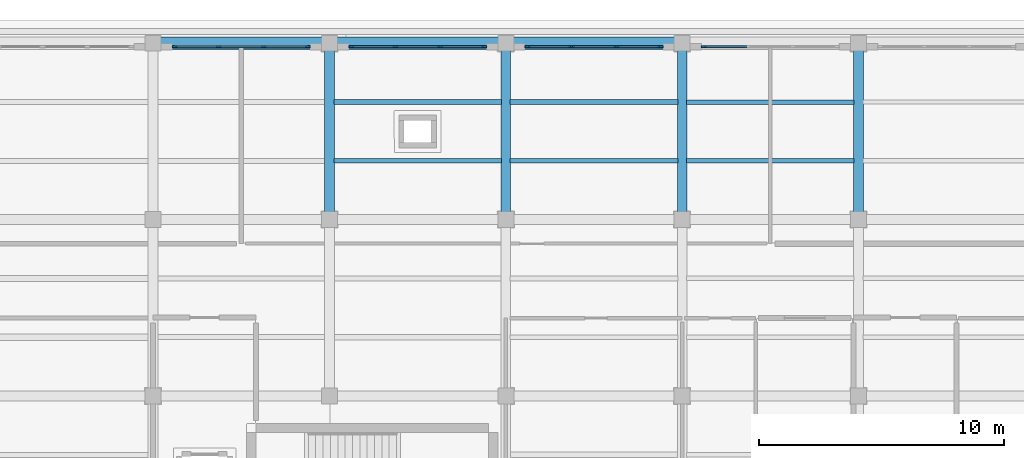
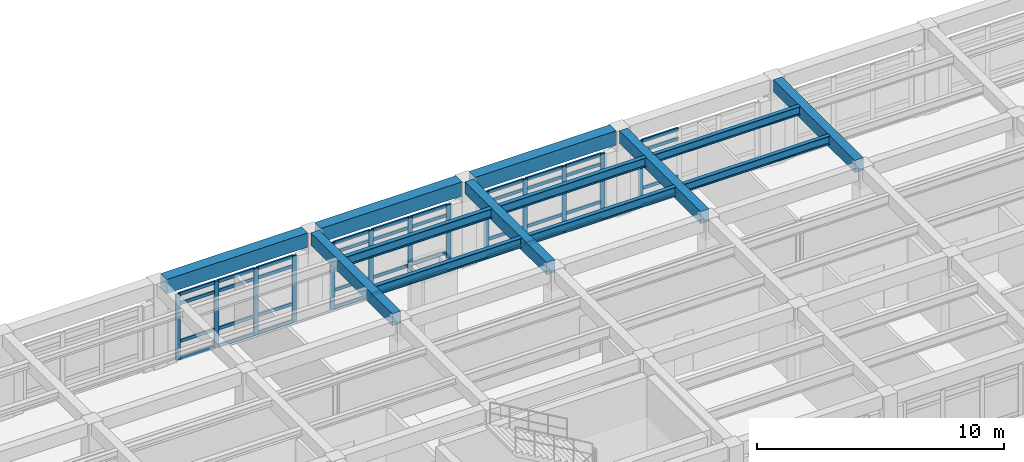
# One storey, part 30 of 55: 53 members, 13 beams, 4 elements without a shape of their own.
"""IFC4 building model written with IfcOpenShell, lengths in metres."""

from ifc_helpers import new_model, si_unit, direction, frame, origin, origin_2d, place, context, subcontext, project, spatial, rectangle, i_section, extrude, material, layer, layer_set, material_profile, profile_set, type_object, element, aggregate, save


model = new_model("IFC4")

# Units and contexts
model_context = context("Model", 3, precision=1e-05, world=origin(), true_north=direction((0.0, 1.0)))
body_context = subcontext(model_context, "Body", "Model", "MODEL_VIEW")
ifc_project = project(units=[si_unit("LENGTHUNIT", "METRE"), si_unit("AREAUNIT", "SQUARE_METRE"), si_unit("VOLUMEUNIT", "CUBIC_METRE"), si_unit("PLANEANGLEUNIT", "RADIAN"), si_unit("MASSUNIT", "GRAM", prefix="KILO")], contexts=[model_context])

# Site, building, storey
site_placement = place(None, origin())
site = spatial("IfcSite", under=ifc_project, at=site_placement, CompositionType="ELEMENT")
building_placement = place(site_placement, origin())
building = spatial("IfcBuilding", under=site, at=building_placement, Name="Solenvale Faculty of Natural Sciences", CompositionType="ELEMENT")
storey_placement = place(building_placement, frame((0.0, 0.0, 22.5)))
storey = spatial("IfcBuildingStorey", under=building, at=storey_placement, Name="L05", CompositionType="ELEMENT", Elevation=22.5)

# Beams
ifc_material_1 = material(Name="Concrete 40 MPa", Category="concrete")
ifc_material_profile_1 = material_profile(ifc_material_1, rectangle(XDim=0.39990234375, YDim=0.60009765625, at=origin_2d()), Name="RC-BM-400x600")
ifc_profile_set_1 = profile_set([ifc_material_profile_1], Name="Concrete 40 MPa")
beam_type_1 = type_object("IfcBeamType", Name="BM-RC-400x600", PredefinedType="BEAM", material=ifc_profile_set_1)
for number, where, z_axis, x_axis, name in (
    (1, (108.0, 108.304931640625, 3.919921875), (0.0, 1.0, 0.0), (-1.0, 0.0, 0.0), "L05 Y-Girder X108.0 (108.0..115.2)"),
    (2, (115.199951171875, 108.304931640625, 3.919921875), (0.0, 1.0, 0.0), (-1.0, 0.0, 0.0), "L05 Y-Girder X115.2 (108.0..115.2)"),
    (3, (122.39990234375, 108.304931640625, 3.919921875), (0.0, 1.0, 0.0), (-1.0, 0.0, 0.0), "L05 Y-Girder X122.4 (108.0..115.2)"),
    (4, (129.60009765625, 108.304931640625, 3.919921875), (0.0, 1.0, 0.0), (-1.0, 0.0, 0.0), "L05 Y-Girder X129.6 (108.0..115.2)"),
):
    element("IfcBeam", number, at=place(storey_placement, frame(where, z_axis=z_axis, x_axis=x_axis)), inside=storey, type_object=beam_type_1, Name=name, PredefinedType="BEAM", context=body_context, shape_type="SweptSolid", body=[
        extrude(rectangle(XDim=0.39990234375, YDim=0.60009765625, at=origin_2d()), origin(), (0.0, 0.0, 1.0), 6.590087890625),
    ])
ifc_material_2 = material(Name="Precast concrete 40 MPa", Category="concrete")
ifc_material_profile_2 = material_profile(ifc_material_2, rectangle(XDim=0.5, YDim=0.699951171875, at=origin_2d()), Name="RC-BM-500x700")
ifc_profile_set_2 = profile_set([ifc_material_profile_2], Name="Precast concrete 40 MPa")
beam_type_2 = type_object("IfcBeamType", Name="BM-SPN-PRC-700", PredefinedType="SPANDREL", material=ifc_profile_set_2)
for number, where, z_axis, x_axis, name in (
    (5, (101.10498046875, 115.199951171875, 3.8701171875), (1.0, 0.0, 0.0), (0.0, 1.0, 0.0), "L05 X-Girder Y115.2 (100.8..108.0)"),
    (6, (108.304931640625, 115.199951171875, 3.8701171875), (1.0, 0.0, 0.0), (0.0, 1.0, 0.0), "L05 X-Girder Y115.2 (108.0..115.2)"),
    (7, (115.5048828125, 115.199951171875, 3.8701171875), (1.0, 0.0, 0.0), (0.0, 1.0, 0.0), "L05 X-Girder Y115.2 (115.2..122.4)"),
):
    element("IfcBeam", number, at=place(storey_placement, frame(where, z_axis=z_axis, x_axis=x_axis)), inside=storey, type_object=beam_type_2, Name=name, PredefinedType="SPANDREL", context=body_context, shape_type="SweptSolid", body=[
        extrude(rectangle(XDim=0.5, YDim=0.699951171875, at=origin_2d()), origin(), (0.0, 0.0, 1.0), 6.590087890625),
    ])
ifc_material_3 = material(Name="Steel S355", Category="steel")
ifc_material_profile_3 = material_profile(ifc_material_3, i_section(OverallWidth=0.180908203125, OverallDepth=0.4169921875, WebThickness=0.010986328125, FlangeThickness=0.018310546875, FilletRadius=0.01611328125, at=origin_2d()), Name="W410x85")
ifc_profile_set_3 = profile_set([ifc_material_profile_3], Name="Steel S355")
beam_type_3 = type_object("IfcBeamType", Name="BM-STL-W410x85", PredefinedType="JOIST", material=ifc_profile_set_3)
for number, where, z_axis, x_axis, name in (
    (8, (122.580078125, 110.39990234375, 4.011474609375), (1.0, 0.0, 0.0), (0.0, 1.0, 0.0), "L05 Composite Floor Joist (18,16).1"),
    (9, (122.580078125, 112.800048828125, 4.011474609375), (1.0, 0.0, 0.0), (0.0, 1.0, 0.0), "L05 Composite Floor Joist (18,16).2"),
):
    element("IfcBeam", number, at=place(storey_placement, frame(where, z_axis=z_axis, x_axis=x_axis)), inside=storey, type_object=beam_type_3, Name=name, PredefinedType="JOIST", context=body_context, shape_type="SweptSolid", body=[
        extrude(i_section(OverallWidth=0.180908203125, OverallDepth=0.4169921875, WebThickness=0.010986328125, FlangeThickness=0.018310546875, FilletRadius=0.01611328125, at=origin_2d()), origin(), (0.0, 0.0, 1.0), 6.83984375),
    ])
ifc_material_profile_4 = material_profile(ifc_material_3, i_section(OverallWidth=0.194091796875, OverallDepth=0.468994140625, WebThickness=0.0126953125, FlangeThickness=0.0205078125, FilletRadius=0.01806640625, at=origin_2d()), Name="W460x106")
ifc_profile_set_4 = profile_set([ifc_material_profile_4], Name="Steel S355")
beam_type_4 = type_object("IfcBeamType", Name="BM-STL-W460x106", PredefinedType="JOIST", material=ifc_profile_set_4)
for number, where, z_axis, x_axis, name in (
    (10, (108.179931640625, 110.39990234375, 3.985595703125), (1.0, 0.0, 0.0), (0.0, 1.0, 0.0), "L05 Composite Floor Joist (16,16).1"),
    (11, (108.179931640625, 112.800048828125, 3.985595703125), (1.0, 0.0, 0.0), (0.0, 1.0, 0.0), "L05 Composite Floor Joist (16,16).2"),
):
    element("IfcBeam", number, at=place(storey_placement, frame(where, z_axis=z_axis, x_axis=x_axis)), inside=storey, type_object=beam_type_4, Name=name, PredefinedType="JOIST", context=body_context, shape_type="SweptSolid", body=[
        extrude(i_section(OverallWidth=0.194091796875, OverallDepth=0.468994140625, WebThickness=0.0126953125, FlangeThickness=0.0205078125, FilletRadius=0.01806640625, at=origin_2d()), origin(), (0.0, 0.0, 1.0), 6.840087890625),
    ])
ifc_material_profile_5 = material_profile(ifc_material_3, i_section(OverallWidth=0.19091796875, OverallDepth=0.4599609375, WebThickness=0.010009765625, FlangeThickness=0.01611328125, FilletRadius=0.01806640625, at=origin_2d()), Name="W460x82")
ifc_profile_set_5 = profile_set([ifc_material_profile_5], Name="Steel S355")
beam_type_5 = type_object("IfcBeamType", Name="BM-STL-W460x82", PredefinedType="JOIST", material=ifc_profile_set_5)
for number, where, z_axis, x_axis, name in (
    (12, (115.3798828125, 110.39990234375, 3.989990234375), (1.0, 0.0, 0.0), (0.0, 1.0, 0.0), "L05 Composite Floor Joist (17,16).1"),
    (13, (115.3798828125, 112.800048828125, 3.989990234375), (1.0, 0.0, 0.0), (0.0, 1.0, 0.0), "L05 Composite Floor Joist (17,16).2"),
):
    element("IfcBeam", number, at=place(storey_placement, frame(where, z_axis=z_axis, x_axis=x_axis)), inside=storey, type_object=beam_type_5, Name=name, PredefinedType="JOIST", context=body_context, shape_type="SweptSolid", body=[
        extrude(i_section(OverallWidth=0.19091796875, OverallDepth=0.4599609375, WebThickness=0.010009765625, FlangeThickness=0.01611328125, FilletRadius=0.01806640625, at=origin_2d()), origin(), (0.0, 0.0, 1.0), 6.840087890625),
    ])

# Curtain wall, member
ifc_material_4 = material(Name="Anodised bronze aluminium", Category="aluminium")
ifc_layer = layer(ifc_material_4, 0.179931640625)
ifc_layer_set = layer_set([ifc_layer], Name="Anodised bronze aluminium")
curtain_wall_type = type_object("IfcCurtainWallType", Name="CW-TWR-MOD", PredefinedType="USERDEFINED", material=ifc_layer_set)
curtain_wall_1_placement = place(storey_placement, origin())
curtain_wall_1 = element("IfcCurtainWall", 14, at=curtain_wall_1_placement, inside=storey, type_object=curtain_wall_type, Name="L05 Curtain Wall CW-L05-P2-E3-B4", ObjectType="UNITISED CURTAIN WALL", PredefinedType="USERDEFINED")
ifc_material_profile_6 = material_profile(ifc_material_4, rectangle(XDim=0.074951171875, YDim=0.2099609375, at=origin_2d()), Name="ALU-MUL-75x210")
ifc_profile_set_6 = profile_set([ifc_material_profile_6], Name="Anodised bronze aluminium")
member_type_1 = type_object("IfcMemberType", Name="CWM-ALU-75x210", PredefinedType="MULLION", material=ifc_profile_set_6)
member_1_placement = place(storey_placement, frame((123.28759765625, 115.0576171875, 0.0), z_axis=(0.0, 0.0, 1.0), x_axis=(0.0, -1.0, 0.0)))
member_1 = element("IfcMember", 15, at=member_1_placement, type_object=member_type_1, Name="CW-04 mullion 4", PredefinedType="MULLION", context=body_context, shape_type="SweptSolid", body=[
    extrude(rectangle(XDim=0.074951171875, YDim=0.2099609375, at=origin_2d()), origin(), (0.0, 0.0, 1.0), 3.260009765625),
])

# Curtain wall, members
curtain_wall_2_placement = place(storey_placement, origin())
curtain_wall_2 = element("IfcCurtainWall", 16, at=curtain_wall_2_placement, inside=storey, type_object=curtain_wall_type, Name="L05 Curtain Wall CW-L05-P2-E3-B5", ObjectType="UNITISED CURTAIN WALL", PredefinedType="USERDEFINED")
member_2_placement = place(storey_placement, frame((121.512451171875, 115.0576171875, 0.0), z_axis=(0.0, 0.0, 1.0), x_axis=(0.0, -1.0, 0.0)))
member_2 = element("IfcMember", 17, at=member_2_placement, type_object=member_type_1, Name="CW-04 mullion 1", PredefinedType="MULLION", context=body_context, shape_type="SweptSolid", body=[
    extrude(rectangle(XDim=0.074951171875, YDim=0.2099609375, at=origin_2d()), origin(), (0.0, 0.0, 1.0), 3.260009765625),
])
member_3_placement = place(storey_placement, frame((119.716552734375, 115.0576171875, 0.0), z_axis=(0.0, 0.0, 1.0), x_axis=(0.0, -1.0, 0.0)))
member_3 = element("IfcMember", 18, at=member_3_placement, type_object=member_type_1, Name="CW-04 mullion 2", PredefinedType="MULLION", context=body_context, shape_type="SweptSolid", body=[
    extrude(rectangle(XDim=0.074951171875, YDim=0.2099609375, at=origin_2d()), origin(), (0.0, 0.0, 1.0), 3.260009765625),
])
member_4_placement = place(storey_placement, frame((117.88330078125, 115.0576171875, 0.0), z_axis=(0.0, 0.0, 1.0), x_axis=(0.0, -1.0, 0.0)))
member_4 = element("IfcMember", 19, at=member_4_placement, type_object=member_type_1, Name="CW-04 mullion 3", PredefinedType="MULLION", context=body_context, shape_type="SweptSolid", body=[
    extrude(rectangle(XDim=0.074951171875, YDim=0.2099609375, at=origin_2d()), origin(), (0.0, 0.0, 1.0), 3.260009765625),
])
member_5_placement = place(storey_placement, frame((116.08740234375, 115.0576171875, 0.0), z_axis=(0.0, 0.0, 1.0), x_axis=(0.0, -1.0, 0.0)))
member_5 = element("IfcMember", 20, at=member_5_placement, type_object=member_type_1, Name="CW-04 mullion 4", PredefinedType="MULLION", context=body_context, shape_type="SweptSolid", body=[
    extrude(rectangle(XDim=0.074951171875, YDim=0.2099609375, at=origin_2d()), origin(), (0.0, 0.0, 1.0), 3.260009765625),
])

curtain_wall_3_placement = place(storey_placement, origin())
curtain_wall_3 = element("IfcCurtainWall", 21, at=curtain_wall_3_placement, inside=storey, type_object=curtain_wall_type, Name="L05 Curtain Wall CW-L05-P2-E3-B6", ObjectType="UNITISED CURTAIN WALL", PredefinedType="USERDEFINED")
member_6_placement = place(storey_placement, frame((114.3125, 115.0576171875, 0.0), z_axis=(0.0, 0.0, 1.0), x_axis=(0.0, -1.0, 0.0)))
member_6 = element("IfcMember", 22, at=member_6_placement, type_object=member_type_1, Name="CW-04 mullion 1", PredefinedType="MULLION", context=body_context, shape_type="SweptSolid", body=[
    extrude(rectangle(XDim=0.074951171875, YDim=0.2099609375, at=origin_2d()), origin(), (0.0, 0.0, 1.0), 3.260009765625),
])
member_7_placement = place(storey_placement, frame((112.5166015625, 115.0576171875, 0.0), z_axis=(0.0, 0.0, 1.0), x_axis=(0.0, -1.0, 0.0)))
member_7 = element("IfcMember", 23, at=member_7_placement, type_object=member_type_1, Name="CW-04 mullion 2", PredefinedType="MULLION", context=body_context, shape_type="SweptSolid", body=[
    extrude(rectangle(XDim=0.074951171875, YDim=0.2099609375, at=origin_2d()), origin(), (0.0, 0.0, 1.0), 3.260009765625),
])
member_8_placement = place(storey_placement, frame((110.683349609375, 115.0576171875, 0.0), z_axis=(0.0, 0.0, 1.0), x_axis=(0.0, -1.0, 0.0)))
member_8 = element("IfcMember", 24, at=member_8_placement, type_object=member_type_1, Name="CW-04 mullion 3", PredefinedType="MULLION", context=body_context, shape_type="SweptSolid", body=[
    extrude(rectangle(XDim=0.074951171875, YDim=0.2099609375, at=origin_2d()), origin(), (0.0, 0.0, 1.0), 3.260009765625),
])
member_9_placement = place(storey_placement, frame((108.887451171875, 115.0576171875, 0.0), z_axis=(0.0, 0.0, 1.0), x_axis=(0.0, -1.0, 0.0)))
member_9 = element("IfcMember", 25, at=member_9_placement, type_object=member_type_1, Name="CW-04 mullion 4", PredefinedType="MULLION", context=body_context, shape_type="SweptSolid", body=[
    extrude(rectangle(XDim=0.074951171875, YDim=0.2099609375, at=origin_2d()), origin(), (0.0, 0.0, 1.0), 3.260009765625),
])

curtain_wall_4_placement = place(storey_placement, origin())
curtain_wall_4 = element("IfcCurtainWall", 26, at=curtain_wall_4_placement, inside=storey, type_object=curtain_wall_type, Name="L05 Curtain Wall CW-L05-P2-E3-B7", ObjectType="UNITISED CURTAIN WALL", PredefinedType="USERDEFINED")
member_10_placement = place(storey_placement, frame((107.112548828125, 115.0576171875, 0.0), z_axis=(0.0, 0.0, 1.0), x_axis=(0.0, -1.0, 0.0)))
member_10 = element("IfcMember", 27, at=member_10_placement, type_object=member_type_1, Name="CW-04 mullion 1", PredefinedType="MULLION", context=body_context, shape_type="SweptSolid", body=[
    extrude(rectangle(XDim=0.074951171875, YDim=0.2099609375, at=origin_2d()), origin(), (0.0, 0.0, 1.0), 3.260009765625),
])
member_11_placement = place(storey_placement, frame((105.316650390625, 115.0576171875, 0.0), z_axis=(0.0, 0.0, 1.0), x_axis=(0.0, -1.0, 0.0)))
member_11 = element("IfcMember", 28, at=member_11_placement, type_object=member_type_1, Name="CW-04 mullion 2", PredefinedType="MULLION", context=body_context, shape_type="SweptSolid", body=[
    extrude(rectangle(XDim=0.074951171875, YDim=0.2099609375, at=origin_2d()), origin(), (0.0, 0.0, 1.0), 3.260009765625),
])
member_12_placement = place(storey_placement, frame((103.4833984375, 115.0576171875, 0.0), z_axis=(0.0, 0.0, 1.0), x_axis=(0.0, -1.0, 0.0)))
member_12 = element("IfcMember", 29, at=member_12_placement, type_object=member_type_1, Name="CW-04 mullion 3", PredefinedType="MULLION", context=body_context, shape_type="SweptSolid", body=[
    extrude(rectangle(XDim=0.074951171875, YDim=0.2099609375, at=origin_2d()), origin(), (0.0, 0.0, 1.0), 3.260009765625),
])
member_13_placement = place(storey_placement, frame((101.6875, 115.0576171875, 0.0), z_axis=(0.0, 0.0, 1.0), x_axis=(0.0, -1.0, 0.0)))
member_13 = element("IfcMember", 30, at=member_13_placement, type_object=member_type_1, Name="CW-04 mullion 4", PredefinedType="MULLION", context=body_context, shape_type="SweptSolid", body=[
    extrude(rectangle(XDim=0.074951171875, YDim=0.2099609375, at=origin_2d()), origin(), (0.0, 0.0, 1.0), 3.260009765625),
])

# Member
ifc_material_profile_7 = material_profile(ifc_material_4, rectangle(XDim=0.074951171875, YDim=0.155029296875, at=origin_2d()), Name="ALU-TRN-75x155")
ifc_profile_set_7 = profile_set([ifc_material_profile_7], Name="Anodised bronze aluminium")
member_type_2 = type_object("IfcMemberType", Name="CWT-ALU-75x155", PredefinedType="USERDEFINED", material=ifc_profile_set_7)
member_14_placement = place(storey_placement, frame((125.0458984375, 115.0576171875, 0.03759765625), z_axis=(-1.0, 0.0, 0.0), x_axis=(0.0, -1.0, 0.0)))
member_14 = element("IfcMember", 31, at=member_14_placement, type_object=member_type_2, Name="CW-04 transom 3.1", ObjectType="TRANSOM", PredefinedType="USERDEFINED", context=body_context, shape_type="SweptSolid", body=[
    extrude(rectangle(XDim=0.074951171875, YDim=0.155029296875, at=origin_2d()), origin(), (0.0, 0.0, 1.0), 1.720947265625),
])

member_15_placement = place(storey_placement, frame((125.0458984375, 115.0576171875, 0.89990234375), z_axis=(-1.0, 0.0, 0.0), x_axis=(0.0, -1.0, 0.0)))
member_15 = element("IfcMember", 32, at=member_15_placement, type_object=member_type_2, Name="CW-04 transom 3.2", ObjectType="TRANSOM", PredefinedType="USERDEFINED", context=body_context, shape_type="SweptSolid", body=[
    extrude(rectangle(XDim=0.074951171875, YDim=0.155029296875, at=origin_2d()), origin(), (0.0, 0.0, 1.0), 1.720947265625),
])

member_16_placement = place(storey_placement, frame((125.0458984375, 115.0576171875, 2.760009765625), z_axis=(-1.0, 0.0, 0.0), x_axis=(0.0, -1.0, 0.0)))
member_16 = element("IfcMember", 33, at=member_16_placement, type_object=member_type_2, Name="CW-04 transom 3.3", ObjectType="TRANSOM", PredefinedType="USERDEFINED", context=body_context, shape_type="SweptSolid", body=[
    extrude(rectangle(XDim=0.074951171875, YDim=0.155029296875, at=origin_2d()), origin(), (0.0, 0.0, 1.0), 1.720947265625),
])

member_17_placement = place(storey_placement, frame((125.0458984375, 115.0576171875, 3.222412109375), z_axis=(-1.0, 0.0, 0.0), x_axis=(0.0, -1.0, 0.0)))
member_17 = element("IfcMember", 34, at=member_17_placement, type_object=member_type_2, Name="CW-04 transom 3.4", ObjectType="TRANSOM", PredefinedType="USERDEFINED", context=body_context, shape_type="SweptSolid", body=[
    extrude(rectangle(XDim=0.074951171875, YDim=0.155029296875, at=origin_2d()), origin(), (0.0, 0.0, 1.0), 1.720947265625),
])

aggregate(curtain_wall_1, [member_1, member_14, member_15, member_16, member_17])

member_18_placement = place(storey_placement, frame((121.47509765625, 115.0576171875, 0.03759765625), z_axis=(-1.0, 0.0, 0.0), x_axis=(0.0, -1.0, 0.0)))
member_18 = element("IfcMember", 35, at=member_18_placement, type_object=member_type_2, Name="CW-04 transom 1.1", ObjectType="TRANSOM", PredefinedType="USERDEFINED", context=body_context, shape_type="SweptSolid", body=[
    extrude(rectangle(XDim=0.074951171875, YDim=0.155029296875, at=origin_2d()), origin(), (0.0, 0.0, 1.0), 1.720947265625),
])

member_19_placement = place(storey_placement, frame((121.47509765625, 115.0576171875, 0.89990234375), z_axis=(-1.0, 0.0, 0.0), x_axis=(0.0, -1.0, 0.0)))
member_19 = element("IfcMember", 36, at=member_19_placement, type_object=member_type_2, Name="CW-04 transom 1.2", ObjectType="TRANSOM", PredefinedType="USERDEFINED", context=body_context, shape_type="SweptSolid", body=[
    extrude(rectangle(XDim=0.074951171875, YDim=0.155029296875, at=origin_2d()), origin(), (0.0, 0.0, 1.0), 1.720947265625),
])

member_20_placement = place(storey_placement, frame((121.47509765625, 115.0576171875, 2.760009765625), z_axis=(-1.0, 0.0, 0.0), x_axis=(0.0, -1.0, 0.0)))
member_20 = element("IfcMember", 37, at=member_20_placement, type_object=member_type_2, Name="CW-04 transom 1.3", ObjectType="TRANSOM", PredefinedType="USERDEFINED", context=body_context, shape_type="SweptSolid", body=[
    extrude(rectangle(XDim=0.074951171875, YDim=0.155029296875, at=origin_2d()), origin(), (0.0, 0.0, 1.0), 1.720947265625),
])

member_21_placement = place(storey_placement, frame((121.47509765625, 115.0576171875, 3.222412109375), z_axis=(-1.0, 0.0, 0.0), x_axis=(0.0, -1.0, 0.0)))
member_21 = element("IfcMember", 38, at=member_21_placement, type_object=member_type_2, Name="CW-04 transom 1.4", ObjectType="TRANSOM", PredefinedType="USERDEFINED", context=body_context, shape_type="SweptSolid", body=[
    extrude(rectangle(XDim=0.074951171875, YDim=0.155029296875, at=origin_2d()), origin(), (0.0, 0.0, 1.0), 1.720947265625),
])

member_22_placement = place(storey_placement, frame((119.67919921875, 115.0576171875, 0.03759765625), z_axis=(-1.0, 0.0, 0.0), x_axis=(0.0, -1.0, 0.0)))
member_22 = element("IfcMember", 39, at=member_22_placement, type_object=member_type_2, Name="CW-04 transom 2.1", ObjectType="TRANSOM", PredefinedType="USERDEFINED", context=body_context, shape_type="SweptSolid", body=[
    extrude(rectangle(XDim=0.074951171875, YDim=0.155029296875, at=origin_2d()), origin(), (0.0, 0.0, 1.0), 1.75830078125),
])

member_23_placement = place(storey_placement, frame((119.67919921875, 115.0576171875, 0.89990234375), z_axis=(-1.0, 0.0, 0.0), x_axis=(0.0, -1.0, 0.0)))
member_23 = element("IfcMember", 40, at=member_23_placement, type_object=member_type_2, Name="CW-04 transom 2.2", ObjectType="TRANSOM", PredefinedType="USERDEFINED", context=body_context, shape_type="SweptSolid", body=[
    extrude(rectangle(XDim=0.074951171875, YDim=0.155029296875, at=origin_2d()), origin(), (0.0, 0.0, 1.0), 1.75830078125),
])

member_24_placement = place(storey_placement, frame((119.67919921875, 115.0576171875, 2.760009765625), z_axis=(-1.0, 0.0, 0.0), x_axis=(0.0, -1.0, 0.0)))
member_24 = element("IfcMember", 41, at=member_24_placement, type_object=member_type_2, Name="CW-04 transom 2.3", ObjectType="TRANSOM", PredefinedType="USERDEFINED", context=body_context, shape_type="SweptSolid", body=[
    extrude(rectangle(XDim=0.074951171875, YDim=0.155029296875, at=origin_2d()), origin(), (0.0, 0.0, 1.0), 1.75830078125),
])

member_25_placement = place(storey_placement, frame((119.67919921875, 115.0576171875, 3.222412109375), z_axis=(-1.0, 0.0, 0.0), x_axis=(0.0, -1.0, 0.0)))
member_25 = element("IfcMember", 42, at=member_25_placement, type_object=member_type_2, Name="CW-04 transom 2.4", ObjectType="TRANSOM", PredefinedType="USERDEFINED", context=body_context, shape_type="SweptSolid", body=[
    extrude(rectangle(XDim=0.074951171875, YDim=0.155029296875, at=origin_2d()), origin(), (0.0, 0.0, 1.0), 1.75830078125),
])

member_26_placement = place(storey_placement, frame((117.845947265625, 115.0576171875, 0.03759765625), z_axis=(-1.0, 0.0, 0.0), x_axis=(0.0, -1.0, 0.0)))
member_26 = element("IfcMember", 43, at=member_26_placement, type_object=member_type_2, Name="CW-04 transom 3.1", ObjectType="TRANSOM", PredefinedType="USERDEFINED", context=body_context, shape_type="SweptSolid", body=[
    extrude(rectangle(XDim=0.074951171875, YDim=0.155029296875, at=origin_2d()), origin(), (0.0, 0.0, 1.0), 1.720947265625),
])

member_27_placement = place(storey_placement, frame((117.845947265625, 115.0576171875, 0.89990234375), z_axis=(-1.0, 0.0, 0.0), x_axis=(0.0, -1.0, 0.0)))
member_27 = element("IfcMember", 44, at=member_27_placement, type_object=member_type_2, Name="CW-04 transom 3.2", ObjectType="TRANSOM", PredefinedType="USERDEFINED", context=body_context, shape_type="SweptSolid", body=[
    extrude(rectangle(XDim=0.074951171875, YDim=0.155029296875, at=origin_2d()), origin(), (0.0, 0.0, 1.0), 1.720947265625),
])

member_28_placement = place(storey_placement, frame((117.845947265625, 115.0576171875, 2.760009765625), z_axis=(-1.0, 0.0, 0.0), x_axis=(0.0, -1.0, 0.0)))
member_28 = element("IfcMember", 45, at=member_28_placement, type_object=member_type_2, Name="CW-04 transom 3.3", ObjectType="TRANSOM", PredefinedType="USERDEFINED", context=body_context, shape_type="SweptSolid", body=[
    extrude(rectangle(XDim=0.074951171875, YDim=0.155029296875, at=origin_2d()), origin(), (0.0, 0.0, 1.0), 1.720947265625),
])

member_29_placement = place(storey_placement, frame((117.845947265625, 115.0576171875, 3.222412109375), z_axis=(-1.0, 0.0, 0.0), x_axis=(0.0, -1.0, 0.0)))
member_29 = element("IfcMember", 46, at=member_29_placement, type_object=member_type_2, Name="CW-04 transom 3.4", ObjectType="TRANSOM", PredefinedType="USERDEFINED", context=body_context, shape_type="SweptSolid", body=[
    extrude(rectangle(XDim=0.074951171875, YDim=0.155029296875, at=origin_2d()), origin(), (0.0, 0.0, 1.0), 1.720947265625),
])

aggregate(curtain_wall_2, [member_2, member_3, member_4, member_5, member_18, member_19, member_20, member_21, member_22, member_23, member_24, member_25, member_26, member_27, member_28, member_29])

member_30_placement = place(storey_placement, frame((114.27490234375, 115.0576171875, 0.03759765625), z_axis=(-1.0, 0.0, 0.0), x_axis=(0.0, -1.0, 0.0)))
member_30 = element("IfcMember", 47, at=member_30_placement, type_object=member_type_2, Name="CW-04 transom 1.1", ObjectType="TRANSOM", PredefinedType="USERDEFINED", context=body_context, shape_type="SweptSolid", body=[
    extrude(rectangle(XDim=0.074951171875, YDim=0.155029296875, at=origin_2d()), origin(), (0.0, 0.0, 1.0), 1.720703125),
])

member_31_placement = place(storey_placement, frame((114.27490234375, 115.0576171875, 0.89990234375), z_axis=(-1.0, 0.0, 0.0), x_axis=(0.0, -1.0, 0.0)))
member_31 = element("IfcMember", 48, at=member_31_placement, type_object=member_type_2, Name="CW-04 transom 1.2", ObjectType="TRANSOM", PredefinedType="USERDEFINED", context=body_context, shape_type="SweptSolid", body=[
    extrude(rectangle(XDim=0.074951171875, YDim=0.155029296875, at=origin_2d()), origin(), (0.0, 0.0, 1.0), 1.720703125),
])

member_32_placement = place(storey_placement, frame((114.27490234375, 115.0576171875, 2.760009765625), z_axis=(-1.0, 0.0, 0.0), x_axis=(0.0, -1.0, 0.0)))
member_32 = element("IfcMember", 49, at=member_32_placement, type_object=member_type_2, Name="CW-04 transom 1.3", ObjectType="TRANSOM", PredefinedType="USERDEFINED", context=body_context, shape_type="SweptSolid", body=[
    extrude(rectangle(XDim=0.074951171875, YDim=0.155029296875, at=origin_2d()), origin(), (0.0, 0.0, 1.0), 1.720703125),
])

member_33_placement = place(storey_placement, frame((114.27490234375, 115.0576171875, 3.222412109375), z_axis=(-1.0, 0.0, 0.0), x_axis=(0.0, -1.0, 0.0)))
member_33 = element("IfcMember", 50, at=member_33_placement, type_object=member_type_2, Name="CW-04 transom 1.4", ObjectType="TRANSOM", PredefinedType="USERDEFINED", context=body_context, shape_type="SweptSolid", body=[
    extrude(rectangle(XDim=0.074951171875, YDim=0.155029296875, at=origin_2d()), origin(), (0.0, 0.0, 1.0), 1.720703125),
])

member_34_placement = place(storey_placement, frame((112.479248046875, 115.0576171875, 0.03759765625), z_axis=(-1.0, 0.0, 0.0), x_axis=(0.0, -1.0, 0.0)))
member_34 = element("IfcMember", 51, at=member_34_placement, type_object=member_type_2, Name="CW-04 transom 2.1", ObjectType="TRANSOM", PredefinedType="USERDEFINED", context=body_context, shape_type="SweptSolid", body=[
    extrude(rectangle(XDim=0.074951171875, YDim=0.155029296875, at=origin_2d()), origin(), (0.0, 0.0, 1.0), 1.75830078125),
])

member_35_placement = place(storey_placement, frame((112.479248046875, 115.0576171875, 0.89990234375), z_axis=(-1.0, 0.0, 0.0), x_axis=(0.0, -1.0, 0.0)))
member_35 = element("IfcMember", 52, at=member_35_placement, type_object=member_type_2, Name="CW-04 transom 2.2", ObjectType="TRANSOM", PredefinedType="USERDEFINED", context=body_context, shape_type="SweptSolid", body=[
    extrude(rectangle(XDim=0.074951171875, YDim=0.155029296875, at=origin_2d()), origin(), (0.0, 0.0, 1.0), 1.75830078125),
])

member_36_placement = place(storey_placement, frame((112.479248046875, 115.0576171875, 2.760009765625), z_axis=(-1.0, 0.0, 0.0), x_axis=(0.0, -1.0, 0.0)))
member_36 = element("IfcMember", 53, at=member_36_placement, type_object=member_type_2, Name="CW-04 transom 2.3", ObjectType="TRANSOM", PredefinedType="USERDEFINED", context=body_context, shape_type="SweptSolid", body=[
    extrude(rectangle(XDim=0.074951171875, YDim=0.155029296875, at=origin_2d()), origin(), (0.0, 0.0, 1.0), 1.75830078125),
])

member_37_placement = place(storey_placement, frame((112.479248046875, 115.0576171875, 3.222412109375), z_axis=(-1.0, 0.0, 0.0), x_axis=(0.0, -1.0, 0.0)))
member_37 = element("IfcMember", 54, at=member_37_placement, type_object=member_type_2, Name="CW-04 transom 2.4", ObjectType="TRANSOM", PredefinedType="USERDEFINED", context=body_context, shape_type="SweptSolid", body=[
    extrude(rectangle(XDim=0.074951171875, YDim=0.155029296875, at=origin_2d()), origin(), (0.0, 0.0, 1.0), 1.75830078125),
])

member_38_placement = place(storey_placement, frame((110.645751953125, 115.0576171875, 0.03759765625), z_axis=(-1.0, 0.0, 0.0), x_axis=(0.0, -1.0, 0.0)))
member_38 = element("IfcMember", 55, at=member_38_placement, type_object=member_type_2, Name="CW-04 transom 3.1", ObjectType="TRANSOM", PredefinedType="USERDEFINED", context=body_context, shape_type="SweptSolid", body=[
    extrude(rectangle(XDim=0.074951171875, YDim=0.155029296875, at=origin_2d()), origin(), (0.0, 0.0, 1.0), 1.720703125),
])

member_39_placement = place(storey_placement, frame((110.645751953125, 115.0576171875, 0.89990234375), z_axis=(-1.0, 0.0, 0.0), x_axis=(0.0, -1.0, 0.0)))
member_39 = element("IfcMember", 56, at=member_39_placement, type_object=member_type_2, Name="CW-04 transom 3.2", ObjectType="TRANSOM", PredefinedType="USERDEFINED", context=body_context, shape_type="SweptSolid", body=[
    extrude(rectangle(XDim=0.074951171875, YDim=0.155029296875, at=origin_2d()), origin(), (0.0, 0.0, 1.0), 1.720703125),
])

member_40_placement = place(storey_placement, frame((110.645751953125, 115.0576171875, 2.760009765625), z_axis=(-1.0, 0.0, 0.0), x_axis=(0.0, -1.0, 0.0)))
member_40 = element("IfcMember", 57, at=member_40_placement, type_object=member_type_2, Name="CW-04 transom 3.3", ObjectType="TRANSOM", PredefinedType="USERDEFINED", context=body_context, shape_type="SweptSolid", body=[
    extrude(rectangle(XDim=0.074951171875, YDim=0.155029296875, at=origin_2d()), origin(), (0.0, 0.0, 1.0), 1.720703125),
])

member_41_placement = place(storey_placement, frame((110.645751953125, 115.0576171875, 3.222412109375), z_axis=(-1.0, 0.0, 0.0), x_axis=(0.0, -1.0, 0.0)))
member_41 = element("IfcMember", 58, at=member_41_placement, type_object=member_type_2, Name="CW-04 transom 3.4", ObjectType="TRANSOM", PredefinedType="USERDEFINED", context=body_context, shape_type="SweptSolid", body=[
    extrude(rectangle(XDim=0.074951171875, YDim=0.155029296875, at=origin_2d()), origin(), (0.0, 0.0, 1.0), 1.720703125),
])

aggregate(curtain_wall_3, [member_6, member_7, member_8, member_9, member_30, member_31, member_32, member_33, member_34, member_35, member_36, member_37, member_38, member_39, member_40, member_41])

member_42_placement = place(storey_placement, frame((107.074951171875, 115.0576171875, 0.03759765625), z_axis=(-1.0, 0.0, 0.0), x_axis=(0.0, -1.0, 0.0)))
member_42 = element("IfcMember", 59, at=member_42_placement, type_object=member_type_2, Name="CW-04 transom 1.1", ObjectType="TRANSOM", PredefinedType="USERDEFINED", context=body_context, shape_type="SweptSolid", body=[
    extrude(rectangle(XDim=0.074951171875, YDim=0.155029296875, at=origin_2d()), origin(), (0.0, 0.0, 1.0), 1.720703125),
])

member_43_placement = place(storey_placement, frame((107.074951171875, 115.0576171875, 0.89990234375), z_axis=(-1.0, 0.0, 0.0), x_axis=(0.0, -1.0, 0.0)))
member_43 = element("IfcMember", 60, at=member_43_placement, type_object=member_type_2, Name="CW-04 transom 1.2", ObjectType="TRANSOM", PredefinedType="USERDEFINED", context=body_context, shape_type="SweptSolid", body=[
    extrude(rectangle(XDim=0.074951171875, YDim=0.155029296875, at=origin_2d()), origin(), (0.0, 0.0, 1.0), 1.720703125),
])

member_44_placement = place(storey_placement, frame((107.074951171875, 115.0576171875, 2.760009765625), z_axis=(-1.0, 0.0, 0.0), x_axis=(0.0, -1.0, 0.0)))
member_44 = element("IfcMember", 61, at=member_44_placement, type_object=member_type_2, Name="CW-04 transom 1.3", ObjectType="TRANSOM", PredefinedType="USERDEFINED", context=body_context, shape_type="SweptSolid", body=[
    extrude(rectangle(XDim=0.074951171875, YDim=0.155029296875, at=origin_2d()), origin(), (0.0, 0.0, 1.0), 1.720703125),
])

member_45_placement = place(storey_placement, frame((107.074951171875, 115.0576171875, 3.222412109375), z_axis=(-1.0, 0.0, 0.0), x_axis=(0.0, -1.0, 0.0)))
member_45 = element("IfcMember", 62, at=member_45_placement, type_object=member_type_2, Name="CW-04 transom 1.4", ObjectType="TRANSOM", PredefinedType="USERDEFINED", context=body_context, shape_type="SweptSolid", body=[
    extrude(rectangle(XDim=0.074951171875, YDim=0.155029296875, at=origin_2d()), origin(), (0.0, 0.0, 1.0), 1.720703125),
])

member_46_placement = place(storey_placement, frame((105.279052734375, 115.0576171875, 0.03759765625), z_axis=(-1.0, 0.0, 0.0), x_axis=(0.0, -1.0, 0.0)))
member_46 = element("IfcMember", 63, at=member_46_placement, type_object=member_type_2, Name="CW-04 transom 2.1", ObjectType="TRANSOM", PredefinedType="USERDEFINED", context=body_context, shape_type="SweptSolid", body=[
    extrude(rectangle(XDim=0.074951171875, YDim=0.155029296875, at=origin_2d()), origin(), (0.0, 0.0, 1.0), 1.75830078125),
])

member_47_placement = place(storey_placement, frame((105.279052734375, 115.0576171875, 0.89990234375), z_axis=(-1.0, 0.0, 0.0), x_axis=(0.0, -1.0, 0.0)))
member_47 = element("IfcMember", 64, at=member_47_placement, type_object=member_type_2, Name="CW-04 transom 2.2", ObjectType="TRANSOM", PredefinedType="USERDEFINED", context=body_context, shape_type="SweptSolid", body=[
    extrude(rectangle(XDim=0.074951171875, YDim=0.155029296875, at=origin_2d()), origin(), (0.0, 0.0, 1.0), 1.75830078125),
])

member_48_placement = place(storey_placement, frame((105.279052734375, 115.0576171875, 2.760009765625), z_axis=(-1.0, 0.0, 0.0), x_axis=(0.0, -1.0, 0.0)))
member_48 = element("IfcMember", 65, at=member_48_placement, type_object=member_type_2, Name="CW-04 transom 2.3", ObjectType="TRANSOM", PredefinedType="USERDEFINED", context=body_context, shape_type="SweptSolid", body=[
    extrude(rectangle(XDim=0.074951171875, YDim=0.155029296875, at=origin_2d()), origin(), (0.0, 0.0, 1.0), 1.75830078125),
])

member_49_placement = place(storey_placement, frame((105.279052734375, 115.0576171875, 3.222412109375), z_axis=(-1.0, 0.0, 0.0), x_axis=(0.0, -1.0, 0.0)))
member_49 = element("IfcMember", 66, at=member_49_placement, type_object=member_type_2, Name="CW-04 transom 2.4", ObjectType="TRANSOM", PredefinedType="USERDEFINED", context=body_context, shape_type="SweptSolid", body=[
    extrude(rectangle(XDim=0.074951171875, YDim=0.155029296875, at=origin_2d()), origin(), (0.0, 0.0, 1.0), 1.75830078125),
])

member_50_placement = place(storey_placement, frame((103.44580078125, 115.0576171875, 0.03759765625), z_axis=(-1.0, 0.0, 0.0), x_axis=(0.0, -1.0, 0.0)))
member_50 = element("IfcMember", 67, at=member_50_placement, type_object=member_type_2, Name="CW-04 transom 3.1", ObjectType="TRANSOM", PredefinedType="USERDEFINED", context=body_context, shape_type="SweptSolid", body=[
    extrude(rectangle(XDim=0.074951171875, YDim=0.155029296875, at=origin_2d()), origin(), (0.0, 0.0, 1.0), 1.720703125),
])

member_51_placement = place(storey_placement, frame((103.44580078125, 115.0576171875, 0.89990234375), z_axis=(-1.0, 0.0, 0.0), x_axis=(0.0, -1.0, 0.0)))
member_51 = element("IfcMember", 68, at=member_51_placement, type_object=member_type_2, Name="CW-04 transom 3.2", ObjectType="TRANSOM", PredefinedType="USERDEFINED", context=body_context, shape_type="SweptSolid", body=[
    extrude(rectangle(XDim=0.074951171875, YDim=0.155029296875, at=origin_2d()), origin(), (0.0, 0.0, 1.0), 1.720703125),
])

member_52_placement = place(storey_placement, frame((103.44580078125, 115.0576171875, 2.760009765625), z_axis=(-1.0, 0.0, 0.0), x_axis=(0.0, -1.0, 0.0)))
member_52 = element("IfcMember", 69, at=member_52_placement, type_object=member_type_2, Name="CW-04 transom 3.3", ObjectType="TRANSOM", PredefinedType="USERDEFINED", context=body_context, shape_type="SweptSolid", body=[
    extrude(rectangle(XDim=0.074951171875, YDim=0.155029296875, at=origin_2d()), origin(), (0.0, 0.0, 1.0), 1.720703125),
])

member_53_placement = place(storey_placement, frame((103.44580078125, 115.0576171875, 3.222412109375), z_axis=(-1.0, 0.0, 0.0), x_axis=(0.0, -1.0, 0.0)))
member_53 = element("IfcMember", 70, at=member_53_placement, type_object=member_type_2, Name="CW-04 transom 3.4", ObjectType="TRANSOM", PredefinedType="USERDEFINED", context=body_context, shape_type="SweptSolid", body=[
    extrude(rectangle(XDim=0.074951171875, YDim=0.155029296875, at=origin_2d()), origin(), (0.0, 0.0, 1.0), 1.720703125),
])

aggregate(curtain_wall_4, [member_10, member_11, member_12, member_13, member_42, member_43, member_44, member_45, member_46, member_47, member_48, member_49, member_50, member_51, member_52, member_53])

save(model, "model.ifc")
